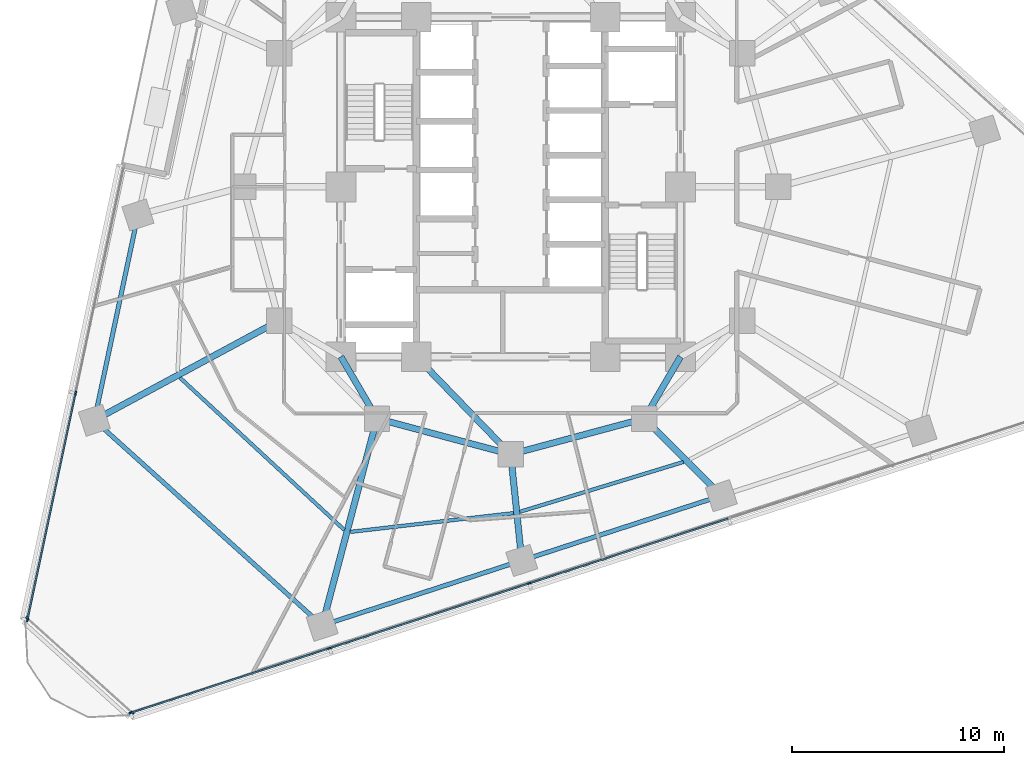
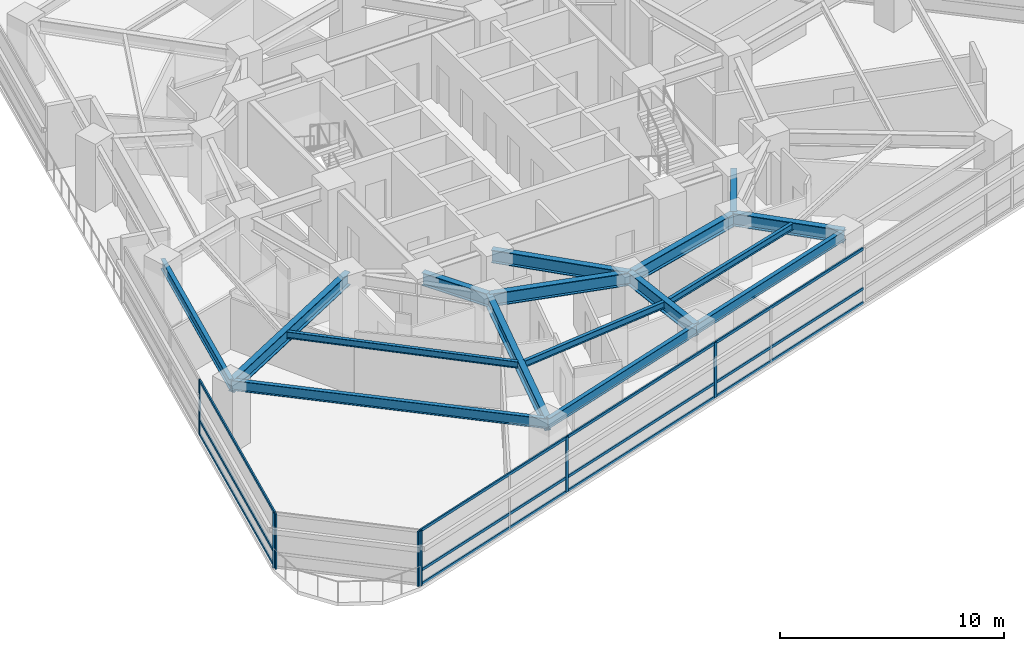
# One storey, part 2 of 14: 19 members, 16 beams, 3 elements without a shape of their own.
"""IFC4 building model written with IfcOpenShell, lengths in metres."""

import ifcopenshell
import ifcopenshell.guid

model = None  # the IFC model being written
_history = None  # IfcOwnerHistory: only IFC2X3 demands one
_inside = {}  # id of a spatial element -> (the spatial element, [elements in it])
_under = {}  # id of a project, library or spatial element -> (it, [spatial elements below it])
_declared = {}  # id of a project -> (the project, [libraries it declares])
_typed = {}  # id of a type object -> (the type object, [elements of that type])
_made_of = {}  # id of a material, layer set ... -> (it, [elements and type objects made of it])


def new_model(schema):
    """Start an empty IFC model of exactly this schema.

    Asked for "IFC4X3", IfcOpenShell would pick the latest addendum, in which some entities
    have other attributes; the version numbers below select the first issue.
    IFC2X3 requires an IfcOwnerHistory on every rooted entity: one is made here for all.
    """
    global model, _history
    if schema == "IFC4X3":
        model = ifcopenshell.file(schema_version=(4, 3, 0, 0))
    else:
        model = ifcopenshell.file(schema=schema)
    _inside.clear()
    _under.clear()
    _declared.clear()
    _typed.clear()
    _made_of.clear()
    _history = None
    if model.schema == "IFC2X3":
        org = make("IfcOrganization", Name="unknown")
        user = make(
            "IfcPersonAndOrganization",
            ThePerson=make("IfcPerson", FamilyName="unknown"),
            TheOrganization=org,
        )
        app = make(
            "IfcApplication",
            ApplicationDeveloper=org,
            Version="unknown",
            ApplicationFullName="unknown",
            ApplicationIdentifier="unknown",
        )
        _history = make(
            "IfcOwnerHistory",
            OwningUser=user,
            OwningApplication=app,
            ChangeAction="ADDED",
            CreationDate=0,
        )
    return model


def make(cls, **values):
    """One entity of the class cls with the attributes given. An attribute that is None is left unset."""
    return model.create_entity(
        cls, **{name: value for name, value in values.items() if value is not None}
    )


def rooted(cls, **values):
    """An entity with a GlobalId (a new one), such as an element, a storey or a relation."""
    return make(cls, GlobalId=ifcopenshell.guid.new(), OwnerHistory=_history, **values)


def si_unit(unit_type, name, prefix=None):
    """IfcSIUnit, for example si_unit("LENGTHUNIT", "METRE", prefix="MILLI")."""
    return make("IfcSIUnit", UnitType=unit_type, Prefix=prefix, Name=name)


def assignment(units):
    """IfcUnitAssignment: the units of a project."""
    return None if units is None else make("IfcUnitAssignment", Units=units)


def point(xyz):
    """IfcCartesianPoint."""
    return None if xyz is None else make("IfcCartesianPoint", Coordinates=xyz)


def direction(xyz):
    """IfcDirection."""
    return None if xyz is None else make("IfcDirection", DirectionRatios=xyz)


def frame(location, z_axis=None, x_axis=None):
    """IfcAxis2Placement3D, a coordinate frame: its origin and axes. An axis left out is left unset."""
    return make(
        "IfcAxis2Placement3D",
        Location=point(location),
        Axis=direction(z_axis),
        RefDirection=direction(x_axis),
    )


def frame_2d(location, x_axis=None):
    """IfcAxis2Placement2D, a coordinate frame in the plane: its origin and x axis."""
    return make(
        "IfcAxis2Placement2D", Location=point(location), RefDirection=direction(x_axis)
    )


def origin():
    """The frame at (0, 0, 0) with its axes left unset."""
    return frame((0.0, 0.0, 0.0))


def origin_2d():
    """The frame at (0, 0) in the plane with its x axis left unset."""
    return frame_2d((0.0, 0.0))


def place(relative_to, where):
    """IfcLocalPlacement: puts the frame where relative to a parent placement (None: the world)."""
    return make(
        "IfcLocalPlacement", PlacementRelTo=relative_to, RelativePlacement=where
    )


def context(
    kind, dimensions, precision=None, world=None, true_north=None, identifier=None
):
    """IfcGeometricRepresentationContext, for example the 3D "Model" context."""
    return make(
        "IfcGeometricRepresentationContext",
        ContextIdentifier=identifier,
        ContextType=kind,
        CoordinateSpaceDimension=dimensions,
        Precision=precision,
        WorldCoordinateSystem=world,
        TrueNorth=true_north,
    )


def subcontext(parent, identifier, kind, view, scale=None):
    """IfcGeometricRepresentationSubContext, for example "Body" below "Model"."""
    return make(
        "IfcGeometricRepresentationSubContext",
        ContextIdentifier=identifier,
        ContextType=kind,
        ParentContext=parent,
        TargetScale=scale,
        TargetView=view,
    )


def project(units=None, contexts=None):
    """IfcProject with its units and contexts."""
    return rooted(
        "IfcProject",
        Name="project",
        RepresentationContexts=contexts,
        UnitsInContext=assignment(units),
    )


def spatial(cls, under=None, at=None, **own):
    """A site, building, storey or space (cls), placed at a placement, below another one or the project."""
    s = rooted(cls, ObjectPlacement=at, **own)
    if under is not None:
        _under.setdefault(under.id(), (under, []))[1].append(s)
    return s


def profile(cls, at=None, kind="AREA", **sizes):
    """A parametric profile (cls). Its sizes go by their IFC names, for example OverallWidth=200.0."""
    return make(cls, ProfileType=kind, Position=at, **sizes)


def rectangle(**sizes):
    """IfcRectangleProfileDef."""
    return profile("IfcRectangleProfileDef", **sizes)


def i_section(**sizes):
    """IfcIShapeProfileDef."""
    return profile("IfcIShapeProfileDef", **sizes)


def extrude(swept, where, along, depth):
    """IfcExtrudedAreaSolid: the profile swept, set in the frame where, extruded along a direction by depth."""
    return make(
        "IfcExtrudedAreaSolid",
        SweptArea=swept,
        Position=where,
        ExtrudedDirection=direction(along),
        Depth=depth,
    )


def shape(context_of_items, identifier, shape_type, items):
    """IfcShapeRepresentation: the items that make up one representation, for example the "Body"."""
    return make(
        "IfcShapeRepresentation",
        ContextOfItems=context_of_items,
        RepresentationIdentifier=identifier,
        RepresentationType=shape_type,
        Items=items,
    )


def material(Name=None, Category=None):
    """IfcMaterial."""
    return make("IfcMaterial", Name=Name, Category=Category)


def layer(
    of_material, thickness, ventilated=None, Name=None, Category=None, Priority=None
):
    """IfcMaterialLayer: one layer of a wall or slab, of a material (None: an air gap)."""
    return make(
        "IfcMaterialLayer",
        Material=of_material,
        LayerThickness=thickness,
        IsVentilated=ventilated,
        Name=Name,
        Category=Category,
        Priority=Priority,
    )


def layer_set(layers, Name=None):
    """IfcMaterialLayerSet."""
    return make("IfcMaterialLayerSet", MaterialLayers=layers, LayerSetName=Name)


def material_profile(
    of_material, cross_section, Name=None, Category=None, Priority=None
):
    """IfcMaterialProfile: a cross section and its material."""
    return make(
        "IfcMaterialProfile",
        Name=Name,
        Material=of_material,
        Profile=cross_section,
        Priority=Priority,
        Category=Category,
    )


def profile_set(profiles, Name=None, composite=None):
    """IfcMaterialProfileSet."""
    return make(
        "IfcMaterialProfileSet",
        Name=Name,
        MaterialProfiles=profiles,
        CompositeProfile=composite,
    )


def made_of(thing, what):
    """Note that an element or type object is made of a material, layer set ...; save() writes the relation."""
    if what is not None:
        _made_of.setdefault(what.id(), (what, []))[1].append(thing)
    return thing


def type_object(cls, material=None, **own):
    """A type object (cls), such as IfcWallType, which elements share."""
    return made_of(rooted(cls, **own), material)


def element(
    cls,
    number,
    at=None,
    inside=None,
    cuts=None,
    type_object=None,
    material=None,
    context=None,
    identifier="Body",
    shape_type=None,
    held_by="IfcProductDefinitionShape",
    body=None,
    shapes=None,
    **own,
):
    """One element of the class cls, such as IfcWall. Its Tag is "e" and its number.

    at: its placement. inside: the storey or other place that contains it. cuts: it is an
    opening in that element (IfcRelVoidsElement). A single representation is given by context,
    identifier, shape_type and body (its items); several are given by shapes. held_by: the class
    of the entity that holds the representations. save() writes the other relations.
    """
    e = rooted(cls, Tag="e%d" % number, ObjectPlacement=at, **own)
    if body is not None:
        shapes = [shape(context, identifier, shape_type, body)]
    if shapes is not None:
        e.Representation = make(held_by, Representations=shapes)
    if inside is not None:
        _inside.setdefault(inside.id(), (inside, []))[1].append(e)
    if cuts is not None:
        rooted(
            "IfcRelVoidsElement", RelatingBuildingElement=cuts, RelatedOpeningElement=e
        )
    if type_object is not None:
        _typed.setdefault(type_object.id(), (type_object, []))[1].append(e)
    return made_of(e, material)


def aggregate(whole, parts):
    """IfcRelAggregates: a whole, such as a stair, and the parts it consists of."""
    return rooted("IfcRelAggregates", RelatingObject=whole, RelatedObjects=parts)


def save(model, path):
    """Write the relations noted so far, then the file.

    IfcRelAggregates (storeys below a building ...), IfcRelContainedInSpatialStructure (elements
    in a storey), IfcRelDefinesByType, IfcRelAssociatesMaterial and IfcRelDeclares: one each for
    every whole, place, type object, material and project.
    """
    for whole, parts in _under.values():
        aggregate(whole, parts)
    for where, things in _inside.values():
        rooted(
            "IfcRelContainedInSpatialStructure",
            RelatedElements=things,
            RelatingStructure=where,
        )
    for kind, things in _typed.values():
        rooted("IfcRelDefinesByType", RelatedObjects=things, RelatingType=kind)
    for what, things in _made_of.values():
        rooted("IfcRelAssociatesMaterial", RelatedObjects=things, RelatingMaterial=what)
    for by, libraries in _declared.values():
        rooted("IfcRelDeclares", RelatingContext=by, RelatedDefinitions=libraries)
    model.write(path)


model = new_model("IFC4")

# Units and contexts
model_context = context("Model", 3, precision=1e-05, world=origin(), true_north=direction((0.0, 1.0)))
body_context = subcontext(model_context, "Body", "Model", "MODEL_VIEW")
ifc_project = project(units=[si_unit("LENGTHUNIT", "METRE"), si_unit("AREAUNIT", "SQUARE_METRE"), si_unit("VOLUMEUNIT", "CUBIC_METRE"), si_unit("PLANEANGLEUNIT", "RADIAN"), si_unit("MASSUNIT", "GRAM", prefix="KILO")], contexts=[model_context])

# Site, building, storey
site_placement = place(None, origin())
site = spatial("IfcSite", under=ifc_project, at=site_placement, CompositionType="ELEMENT")
building_placement = place(site_placement, origin())
building = spatial("IfcBuilding", under=site, at=building_placement, Name="Terralouvre Media Tower", CompositionType="ELEMENT")
storey_placement = place(building_placement, frame((0.0, 0.0, 97.699951171875)))
storey = spatial("IfcBuildingStorey", under=building, at=storey_placement, Name="L24", CompositionType="ELEMENT", Elevation=97.699951171875)

# Beams
ifc_material_1 = material(Name="Structural steel S355J2", Category="steel")
ifc_material_profile_1 = material_profile(ifc_material_1, i_section(OverallWidth=0.169921875, OverallDepth=0.360107421875, WebThickness=0.008056640625, FlangeThickness=0.0126953125, at=origin_2d()), Name="IPE 360")
ifc_profile_set_1 = profile_set([ifc_material_profile_1], Name="Structural steel S355J2")
beam_type_1 = type_object("IfcBeamType", Name="Composite Floor Joist J-IPE360 (IPE 360)", PredefinedType="JOIST", material=ifc_profile_set_1)
beam_1_placement = place(storey_placement, frame((-15.584716796875, -8.988037109375, 3.320068359375), z_axis=(0.733637623699, -0.679540901707, 0.0), x_axis=(0.679540901707, 0.733637623699, 0.0)))
element("IfcBeam", 1, at=beam_1_placement, inside=storey, type_object=beam_type_1, Name="L24 Framing Beam JT-L24-02", PredefinedType="JOIST", context=body_context, shape_type="SweptSolid", body=[
    extrude(i_section(OverallWidth=0.169921875, OverallDepth=0.360107421875, WebThickness=0.008056640625, FlangeThickness=0.0126953125, at=origin_2d()), origin(), (0.0, 0.0, 1.0), 10.551513671875),
])
beam_2_placement = place(storey_placement, frame((-7.5625, -16.254150390625, 3.320068359375), z_axis=(0.993452319542, 0.114247489235, 0.0), x_axis=(-0.114247489235, 0.993452319542, 0.0)))
element("IfcBeam", 2, at=beam_2_placement, inside=storey, type_object=beam_type_1, Name="L24 Framing Beam JT-L24-03", PredefinedType="JOIST", context=body_context, shape_type="SweptSolid", body=[
    extrude(i_section(OverallWidth=0.169921875, OverallDepth=0.360107421875, WebThickness=0.008056640625, FlangeThickness=0.0126953125, at=origin_2d()), origin(), (0.0, 0.0, 1.0), 7.750732421875),
])
beam_3_placement = place(storey_placement, frame((0.430908203125, -15.307373046875, 3.320068359375), z_axis=(0.95657137257, 0.29149821471, 0.0), x_axis=(-0.29149821471, 0.95657137257, 0.0)))
element("IfcBeam", 3, at=beam_3_placement, inside=storey, type_object=beam_type_1, Name="L24 Framing Beam JT-L24-04", PredefinedType="JOIST", context=body_context, shape_type="SweptSolid", body=[
    extrude(i_section(OverallWidth=0.169921875, OverallDepth=0.360107421875, WebThickness=0.008056640625, FlangeThickness=0.0126953125, at=origin_2d()), origin(), (0.0, 0.0, 1.0), 8.052001953125),
])

# Curtain wall, members
ifc_material_2 = material(Name="Low-iron laminated double glazing with solar-control coating", Category="glass")
ifc_layer_1 = layer(ifc_material_2, 0.1650390625, Name="Lower Media Tower Unitised Curtain Wall CW-02")
ifc_layer_set_1 = layer_set([ifc_layer_1], Name="Low-iron laminated double glazing with solar-control coating")
curtain_wall_type_1 = type_object("IfcCurtainWallType", Name="Lower Media Tower Unitised Curtain Wall CW-02", PredefinedType="NOTDEFINED", material=ifc_layer_set_1)
curtain_wall_1_placement = place(storey_placement, origin())
curtain_wall_1 = element("IfcCurtainWall", 4, at=curtain_wall_1_placement, inside=storey, type_object=curtain_wall_type_1, Name="L24 Facade Curtain Wall F0", PredefinedType="NOTDEFINED")
ifc_material_3 = material(Name="Anodised extruded aluminium 6063-T6", Category="aluminium")
ifc_material_profile_2 = material_profile(ifc_material_3, rectangle(XDim=0.074951171875, YDim=0.14990234375, at=origin_2d()), Name="ALU 75x150")
ifc_profile_set_2 = profile_set([ifc_material_profile_2], Name="Anodised extruded aluminium 6063-T6")
member_type_1 = type_object("IfcMemberType", Name="Curtain-Wall Horizontal Transom TR-150", PredefinedType="USERDEFINED", material=ifc_profile_set_2)
member_1_placement = place(storey_placement, frame((-17.866455078125, -24.765380859375, 0.03759765625), z_axis=(0.951048750541, 0.309040893886, 0.0), x_axis=(-0.309040893886, 0.951048750541, 0.0)))
member_1 = element("IfcMember", 5, at=member_1_placement, type_object=member_type_1, Name="CW-02 transom 1.1", ObjectType="TRANSOM", PredefinedType="USERDEFINED", context=body_context, shape_type="SweptSolid", body=[
    extrude(rectangle(XDim=0.074951171875, YDim=0.14990234375, at=origin_2d()), origin(), (0.0, 0.0, 1.0), 9.775390625),
])
member_2_placement = place(storey_placement, frame((-17.866455078125, -24.765380859375, 0.800048828125), z_axis=(0.951048750541, 0.309040893886, 0.0), x_axis=(-0.309040893886, 0.951048750541, 0.0)))
member_2 = element("IfcMember", 6, at=member_2_placement, type_object=member_type_1, Name="CW-02 transom 1.2", ObjectType="TRANSOM", PredefinedType="USERDEFINED", context=body_context, shape_type="SweptSolid", body=[
    extrude(rectangle(XDim=0.074951171875, YDim=0.14990234375, at=origin_2d()), origin(), (0.0, 0.0, 1.0), 9.775390625),
])
member_3_placement = place(storey_placement, frame((-17.866455078125, -24.765380859375, 2.962646484375), z_axis=(0.951048750541, 0.309040893886, 0.0), x_axis=(-0.309040893886, 0.951048750541, 0.0)))
member_3 = element("IfcMember", 7, at=member_3_placement, type_object=member_type_1, Name="CW-02 transom 1.3", ObjectType="TRANSOM", PredefinedType="USERDEFINED", context=body_context, shape_type="SweptSolid", body=[
    extrude(rectangle(XDim=0.074951171875, YDim=0.14990234375, at=origin_2d()), origin(), (0.0, 0.0, 1.0), 9.775390625),
])
member_4_placement = place(storey_placement, frame((-8.498291015625, -21.72119140625, 0.03759765625), z_axis=(0.951061672682, 0.309001124198, 0.0), x_axis=(-0.309001124198, 0.951061672682, 0.0)))
member_4 = element("IfcMember", 8, at=member_4_placement, type_object=member_type_1, Name="CW-02 transom 2.1", ObjectType="TRANSOM", PredefinedType="USERDEFINED", context=body_context, shape_type="SweptSolid", body=[
    extrude(rectangle(XDim=0.074951171875, YDim=0.14990234375, at=origin_2d()), origin(), (0.0, 0.0, 1.0), 9.81298828125),
])
member_5_placement = place(storey_placement, frame((-8.498291015625, -21.72119140625, 0.800048828125), z_axis=(0.951061672682, 0.309001124198, 0.0), x_axis=(-0.309001124198, 0.951061672682, 0.0)))
member_5 = element("IfcMember", 9, at=member_5_placement, type_object=member_type_1, Name="CW-02 transom 2.2", ObjectType="TRANSOM", PredefinedType="USERDEFINED", context=body_context, shape_type="SweptSolid", body=[
    extrude(rectangle(XDim=0.074951171875, YDim=0.14990234375, at=origin_2d()), origin(), (0.0, 0.0, 1.0), 9.81298828125),
])
member_6_placement = place(storey_placement, frame((-8.498291015625, -21.72119140625, 2.962646484375), z_axis=(0.951061672682, 0.309001124198, 0.0), x_axis=(-0.309001124198, 0.951061672682, 0.0)))
member_6 = element("IfcMember", 10, at=member_6_placement, type_object=member_type_1, Name="CW-02 transom 2.3", ObjectType="TRANSOM", PredefinedType="USERDEFINED", context=body_context, shape_type="SweptSolid", body=[
    extrude(rectangle(XDim=0.074951171875, YDim=0.14990234375, at=origin_2d()), origin(), (0.0, 0.0, 1.0), 9.81298828125),
])
member_7_placement = place(storey_placement, frame((0.90576171875, -18.665771484375, 0.03759765625), z_axis=(0.95105436096, 0.309023627736, 0.0), x_axis=(-0.309023627736, 0.95105436096, 0.0)))
member_7 = element("IfcMember", 11, at=member_7_placement, type_object=member_type_1, Name="CW-02 transom 3.1", ObjectType="TRANSOM", PredefinedType="USERDEFINED", context=body_context, shape_type="SweptSolid", body=[
    extrude(rectangle(XDim=0.074951171875, YDim=0.14990234375, at=origin_2d()), origin(), (0.0, 0.0, 1.0), 9.81298828125),
])
member_8_placement = place(storey_placement, frame((0.90576171875, -18.665771484375, 0.800048828125), z_axis=(0.95105436096, 0.309023627736, 0.0), x_axis=(-0.309023627736, 0.95105436096, 0.0)))
member_8 = element("IfcMember", 12, at=member_8_placement, type_object=member_type_1, Name="CW-02 transom 3.2", ObjectType="TRANSOM", PredefinedType="USERDEFINED", context=body_context, shape_type="SweptSolid", body=[
    extrude(rectangle(XDim=0.074951171875, YDim=0.14990234375, at=origin_2d()), origin(), (0.0, 0.0, 1.0), 9.81298828125),
])
member_9_placement = place(storey_placement, frame((0.90576171875, -18.665771484375, 2.962646484375), z_axis=(0.95105436096, 0.309023627736, 0.0), x_axis=(-0.309023627736, 0.95105436096, 0.0)))
member_9 = element("IfcMember", 13, at=member_9_placement, type_object=member_type_1, Name="CW-02 transom 3.3", ObjectType="TRANSOM", PredefinedType="USERDEFINED", context=body_context, shape_type="SweptSolid", body=[
    extrude(rectangle(XDim=0.074951171875, YDim=0.14990234375, at=origin_2d()), origin(), (0.0, 0.0, 1.0), 9.81298828125),
])

curtain_wall_2_placement = place(storey_placement, origin())
curtain_wall_2 = element("IfcCurtainWall", 14, at=curtain_wall_2_placement, inside=storey, type_object=curtain_wall_type_1, Name="L24 Right Flank Curtain Wall F2", PredefinedType="NOTDEFINED")
member_10_placement = place(storey_placement, frame((-20.5068359375, -9.746826171875, 0.03759765625), z_axis=(-0.207891864273, -0.978151814786, 0.0), x_axis=(0.978151814786, -0.207891864273, 0.0)))
member_10 = element("IfcMember", 15, at=member_10_placement, type_object=member_type_1, Name="CW-02 transom 2.1", ObjectType="TRANSOM", PredefinedType="USERDEFINED", context=body_context, shape_type="SweptSolid", body=[
    extrude(rectangle(XDim=0.074951171875, YDim=0.14990234375, at=origin_2d()), origin(), (0.0, 0.0, 1.0), 10.84765625),
])
member_11_placement = place(storey_placement, frame((-20.5068359375, -9.746826171875, 0.800048828125), z_axis=(-0.207891864273, -0.978151814786, 0.0), x_axis=(0.978151814786, -0.207891864273, 0.0)))
member_11 = element("IfcMember", 16, at=member_11_placement, type_object=member_type_1, Name="CW-02 transom 2.2", ObjectType="TRANSOM", PredefinedType="USERDEFINED", context=body_context, shape_type="SweptSolid", body=[
    extrude(rectangle(XDim=0.074951171875, YDim=0.14990234375, at=origin_2d()), origin(), (0.0, 0.0, 1.0), 10.84765625),
])
member_12_placement = place(storey_placement, frame((-20.5068359375, -9.746826171875, 2.962646484375), z_axis=(-0.207891864273, -0.978151814786, 0.0), x_axis=(0.978151814786, -0.207891864273, 0.0)))
member_12 = element("IfcMember", 17, at=member_12_placement, type_object=member_type_1, Name="CW-02 transom 2.3", ObjectType="TRANSOM", PredefinedType="USERDEFINED", context=body_context, shape_type="SweptSolid", body=[
    extrude(rectangle(XDim=0.074951171875, YDim=0.14990234375, at=origin_2d()), origin(), (0.0, 0.0, 1.0), 10.84765625),
])

# Member
ifc_material_4 = material(Name="Anodised extruded aluminium 6063-T6", Category="aluminium")
ifc_material_profile_3 = material_profile(ifc_material_4, rectangle(XDim=0.074951171875, YDim=0.179931640625, at=origin_2d()), Name="ALU 75x180")
ifc_profile_set_3 = profile_set([ifc_material_profile_3], Name="Anodised extruded aluminium 6063-T6")
member_type_2 = type_object("IfcMemberType", Name="Curtain-Wall Vertical Mullion ML-180", PredefinedType="MULLION", material=ifc_profile_set_3)
member_13_placement = place(storey_placement, frame((-17.90234375, -24.77685546875, 0.0), z_axis=(0.0, 0.0, 1.0), x_axis=(-0.309017015439, 0.951056509451, 0.0)))
member_13 = element("IfcMember", 18, at=member_13_placement, type_object=member_type_2, Name="CW-02 mullion 1", PredefinedType="MULLION", context=body_context, shape_type="SweptSolid", body=[
    extrude(rectangle(XDim=0.074951171875, YDim=0.179931640625, at=origin_2d()), origin(), (0.0, 0.0, 1.0), 3.0),
])

member_14_placement = place(storey_placement, frame((-8.533935546875, -21.73291015625, 0.0), z_axis=(0.0, 0.0, 1.0), x_axis=(-0.309017015439, 0.951056509451, 0.0)))
member_14 = element("IfcMember", 19, at=member_14_placement, type_object=member_type_2, Name="CW-02 mullion 2", PredefinedType="MULLION", context=body_context, shape_type="SweptSolid", body=[
    extrude(rectangle(XDim=0.074951171875, YDim=0.179931640625, at=origin_2d()), origin(), (0.0, 0.0, 1.0), 3.0),
])

member_15_placement = place(storey_placement, frame((0.8701171875, -18.67724609375, 0.0), z_axis=(0.0, 0.0, 1.0), x_axis=(-0.309017015439, 0.951056509451, 0.0)))
member_15 = element("IfcMember", 20, at=member_15_placement, type_object=member_type_2, Name="CW-02 mullion 3", PredefinedType="MULLION", context=body_context, shape_type="SweptSolid", body=[
    extrude(rectangle(XDim=0.074951171875, YDim=0.179931640625, at=origin_2d()), origin(), (0.0, 0.0, 1.0), 3.0),
])

aggregate(curtain_wall_1, [member_13, member_14, member_15, member_1, member_2, member_3, member_4, member_5, member_6, member_7, member_8, member_9])

member_16_placement = place(storey_placement, frame((-20.4990234375, -9.710205078125, 0.0), z_axis=(0.0, 0.0, 1.0), x_axis=(0.978147702676, -0.207911211217, 0.0)))
member_16 = element("IfcMember", 21, at=member_16_placement, type_object=member_type_2, Name="CW-02 mullion 2", PredefinedType="MULLION", context=body_context, shape_type="SweptSolid", body=[
    extrude(rectangle(XDim=0.074951171875, YDim=0.179931640625, at=origin_2d()), origin(), (0.0, 0.0, 1.0), 3.0),
])

member_17_placement = place(storey_placement, frame((-22.769775390625, -20.39404296875, 0.0), z_axis=(0.0, 0.0, 1.0), x_axis=(0.978147702676, -0.207911211217, 0.0)))
member_17 = element("IfcMember", 22, at=member_17_placement, type_object=member_type_2, Name="CW-02 mullion 3", PredefinedType="MULLION", context=body_context, shape_type="SweptSolid", body=[
    extrude(rectangle(XDim=0.074951171875, YDim=0.179931640625, at=origin_2d()), origin(), (0.0, 0.0, 1.0), 3.0),
])

aggregate(curtain_wall_2, [member_16, member_17, member_10, member_11, member_12])

# Curtain wall, members
ifc_material_5 = material(Name="Low-iron laminated double glazing with solar-control coating", Category="glass")
ifc_layer_2 = layer(ifc_material_5, 0.1650390625, Name="Rounded Wind-Corner Curved Glazing CW-04")
ifc_layer_set_2 = layer_set([ifc_layer_2], Name="Low-iron laminated double glazing with solar-control coating")
curtain_wall_type_2 = type_object("IfcCurtainWallType", Name="Rounded Wind-Corner Curved Glazing CW-04", PredefinedType="NOTDEFINED", material=ifc_layer_set_2)
curtain_wall_3_placement = place(storey_placement, origin())
curtain_wall_3 = element("IfcCurtainWall", 23, at=curtain_wall_3_placement, inside=storey, type_object=curtain_wall_type_2, Name="L24 Rounded Wind-Corner Curtain Wall C0", PredefinedType="NOTDEFINED")
member_18_placement = place(storey_placement, frame((-22.7734375, -20.326904296875, 0.0), z_axis=(0.0, 0.0, 1.0), x_axis=(0.669130780732, 0.743144668471, 0.0)))
member_18 = element("IfcMember", 24, at=member_18_placement, type_object=member_type_2, Name="CW-04 mullion 1", PredefinedType="MULLION", context=body_context, shape_type="SweptSolid", body=[
    extrude(rectangle(XDim=0.074951171875, YDim=0.179931640625, at=origin_2d()), origin(), (0.0, 0.0, 1.0), 3.0),
])
member_19_placement = place(storey_placement, frame((-17.8349609375, -24.7734375, 0.0), z_axis=(0.0, 0.0, 1.0), x_axis=(0.669130780732, 0.743144668471, 0.0)))
member_19 = element("IfcMember", 25, at=member_19_placement, type_object=member_type_2, Name="CW-04 mullion 2", PredefinedType="MULLION", context=body_context, shape_type="SweptSolid", body=[
    extrude(rectangle(XDim=0.074951171875, YDim=0.179931640625, at=origin_2d()), origin(), (0.0, 0.0, 1.0), 3.0),
])
aggregate(curtain_wall_3, [member_18, member_19])

# Beams
ifc_material_6 = material(Name="Structural steel S355J2", Category="steel")
ifc_material_profile_4 = material_profile(ifc_material_6, i_section(OverallWidth=0.2099609375, OverallDepth=0.550048828125, WebThickness=0.010986328125, FlangeThickness=0.01708984375, at=origin_2d()), Name="IPE 550")
ifc_profile_set_4 = profile_set([ifc_material_profile_4], Name="Structural steel S355J2")
beam_type_2 = type_object("IfcBeamType", Name="Perimeter Spandrel Beam SPB-550 (IPE 550)", PredefinedType="SPANDREL", material=ifc_profile_set_4)
beam_4_placement = place(storey_placement, frame((-17.560791015625, -1.32177734375, 3.22509765625), z_axis=(-0.207896554112, -0.978150818017, 0.0), x_axis=(0.978150818017, -0.207896554112, 0.0)))
element("IfcBeam", 26, at=beam_4_placement, inside=storey, type_object=beam_type_2, Name="L24 Framing Beam BM-L24-PR01", PredefinedType="SPANDREL", context=body_context, shape_type="SweptSolid", body=[
    extrude(i_section(OverallWidth=0.2099609375, OverallDepth=0.550048828125, WebThickness=0.010986328125, FlangeThickness=0.01708984375, at=origin_2d()), origin(), (0.0, 0.0, 1.0), 9.887939453125),
])
beam_5_placement = place(storey_placement, frame((-19.616455078125, -10.99365234375, 3.22509765625), z_axis=(0.743139474617, -0.669136549044, 0.0), x_axis=(0.669136549044, 0.743139474617, 0.0)))
element("IfcBeam", 27, at=beam_5_placement, inside=storey, type_object=beam_type_2, Name="L24 Framing Beam BM-L24-PR02", PredefinedType="SPANDREL", context=body_context, shape_type="SweptSolid", body=[
    extrude(i_section(OverallWidth=0.2099609375, OverallDepth=0.550048828125, WebThickness=0.010986328125, FlangeThickness=0.01708984375, at=origin_2d()), origin(), (0.0, 0.0, 1.0), 14.443359375),
])
for number, where, z_axis, x_axis, name in (
    (28, (-8.883056640625, -20.658203125, 3.22509765625), (0.95105348149, 0.309026334389, 0.0), (-0.309026334389, 0.95105348149, 0.0), "L24 Framing Beam BM-L24-PR03"),
    (29, (0.52099609375, -17.6025390625, 3.22509765625), (0.951060737836, 0.309004001506, 0.0), (-0.309004001506, 0.951060737836, 0.0), "L24 Framing Beam BM-L24-PR04"),
):
    element("IfcBeam", number, at=place(storey_placement, frame(where, z_axis=z_axis, x_axis=x_axis)), inside=storey, type_object=beam_type_2, Name=name, PredefinedType="SPANDREL", context=body_context, shape_type="SweptSolid", body=[
        extrude(i_section(OverallWidth=0.2099609375, OverallDepth=0.550048828125, WebThickness=0.010986328125, FlangeThickness=0.01708984375, at=origin_2d()), origin(), (0.0, 0.0, 1.0), 9.887939453125),
    ])
ifc_material_7 = material(Name="Structural steel S460M", Category="steel")
ifc_material_profile_5 = material_profile(ifc_material_7, i_section(OverallWidth=0.300048828125, OverallDepth=0.699951171875, WebThickness=0.01708984375, FlangeThickness=0.031982421875, at=origin_2d()), Name="HEB 700")
ifc_profile_set_5 = profile_set([ifc_material_profile_5], Name="Structural steel S460M")
beam_type_3 = type_object("IfcBeamType", Name="Primary Floor Girder B-HEB700 (HEB 700)", PredefinedType="BEAM", material=ifc_profile_set_5)
for number, where, z_axis, x_axis, name in (
    (30, (-6.300048828125, -10.911865234375, 3.150146484375), (0.965920481897, -0.258838989821, 0.0), (0.258838989821, 0.965920481897, 0.0), "L24 Framing Beam BM-L24-MR02"),
    (31, (0.0, -12.60009765625, 3.150146484375), (0.965920481897, 0.258838989821, 0.0), (-0.258838989821, 0.965920481897, 0.0), "L24 Framing Beam BM-L24-MR03"),
):
    element("IfcBeam", number, at=place(storey_placement, frame(where, z_axis=z_axis, x_axis=x_axis)), inside=storey, type_object=beam_type_3, Name=name, PredefinedType="BEAM", context=body_context, shape_type="SweptSolid", body=[
        extrude(i_section(OverallWidth=0.300048828125, OverallDepth=0.699951171875, WebThickness=0.01708984375, FlangeThickness=0.031982421875, at=origin_2d()), origin(), (0.0, 0.0, 1.0), 6.522216796875),
    ])
beam_6_placement = place(storey_placement, frame((-8.0, -8.0, 3.150146484375), z_axis=(0.504172629717, -0.863602894532, 0.0), x_axis=(0.863602894532, 0.504172629717, 0.0)))
element("IfcBeam", 32, at=beam_6_placement, inside=storey, type_object=beam_type_3, Name="L24 Framing Beam BM-L24-CM02", PredefinedType="BEAM", context=body_context, shape_type="SweptSolid", body=[
    extrude(i_section(OverallWidth=0.300048828125, OverallDepth=0.699951171875, WebThickness=0.01708984375, FlangeThickness=0.031982421875, at=origin_2d()), origin(), (0.0, 0.0, 1.0), 3.371826171875),
])
beam_7_placement = place(storey_placement, frame((-4.449951171875, -8.0, 3.150146484375), z_axis=(0.695279715726, -0.718739255155, 0.0), x_axis=(0.718739255155, 0.695279715726, 0.0)))
element("IfcBeam", 33, at=beam_7_placement, inside=storey, type_object=beam_type_3, Name="L24 Framing Beam BM-L24-CM03", PredefinedType="BEAM", context=body_context, shape_type="SweptSolid", body=[
    extrude(i_section(OverallWidth=0.300048828125, OverallDepth=0.699951171875, WebThickness=0.01708984375, FlangeThickness=0.031982421875, at=origin_2d()), origin(), (0.0, 0.0, 1.0), 6.400146484375),
])
beam_8_placement = place(storey_placement, frame((8.0, -8.0, 3.150146484375), z_axis=(-0.504172629717, -0.863602894532, 0.0), x_axis=(0.863602894532, -0.504172629717, 0.0)))
element("IfcBeam", 34, at=beam_8_placement, inside=storey, type_object=beam_type_3, Name="L24 Framing Beam BM-L24-CM04", PredefinedType="BEAM", context=body_context, shape_type="SweptSolid", body=[
    extrude(i_section(OverallWidth=0.300048828125, OverallDepth=0.699951171875, WebThickness=0.01708984375, FlangeThickness=0.031982421875, at=origin_2d()), origin(), (0.0, 0.0, 1.0), 3.371826171875),
])
beam_9_placement = place(storey_placement, frame((-10.911865234375, -6.300048828125, 3.150146484375), z_axis=(-0.880195882447, -0.47461058619, 0.0), x_axis=(0.47461058619, -0.880195882447, 0.0)))
element("IfcBeam", 35, at=beam_9_placement, inside=storey, type_object=beam_type_3, Name="L24 Framing Beam BM-L24-RD02", PredefinedType="BEAM", context=body_context, shape_type="SweptSolid", body=[
    extrude(i_section(OverallWidth=0.300048828125, OverallDepth=0.699951171875, WebThickness=0.01708984375, FlangeThickness=0.031982421875, at=origin_2d()), origin(), (0.0, 0.0, 1.0), 9.889404296875),
])
beam_10_placement = place(storey_placement, frame((-6.300048828125, -10.911865234375, 3.150146484375), z_axis=(-0.25617939255, -0.966629256144, 0.0), x_axis=(0.966629256144, -0.25617939255, 0.0)))
element("IfcBeam", 36, at=beam_10_placement, inside=storey, type_object=beam_type_3, Name="L24 Framing Beam BM-L24-RD03", PredefinedType="BEAM", context=body_context, shape_type="SweptSolid", body=[
    extrude(i_section(OverallWidth=0.300048828125, OverallDepth=0.699951171875, WebThickness=0.01708984375, FlangeThickness=0.031982421875, at=origin_2d()), origin(), (0.0, 0.0, 1.0), 10.082763671875),
])
beam_11_placement = place(storey_placement, frame((0.0, -12.60009765625, 3.150146484375), z_axis=(0.103588076486, -0.994620284536, 0.0), x_axis=(0.994620284536, 0.103588076486, 0.0)))
element("IfcBeam", 37, at=beam_11_placement, inside=storey, type_object=beam_type_3, Name="L24 Framing Beam BM-L24-RD04", PredefinedType="BEAM", context=body_context, shape_type="SweptSolid", body=[
    extrude(i_section(OverallWidth=0.300048828125, OverallDepth=0.699951171875, WebThickness=0.01708984375, FlangeThickness=0.031982421875, at=origin_2d()), origin(), (0.0, 0.0, 1.0), 5.029541015625),
])
beam_12_placement = place(storey_placement, frame((6.300048828125, -10.911865234375, 3.150146484375), z_axis=(0.706107405732, -0.708104746185, 0.0), x_axis=(0.708104746185, 0.706107405732, 0.0)))
element("IfcBeam", 38, at=beam_12_placement, inside=storey, type_object=beam_type_3, Name="L24 Framing Beam BM-L24-RD05", PredefinedType="BEAM", context=body_context, shape_type="SweptSolid", body=[
    extrude(i_section(OverallWidth=0.300048828125, OverallDepth=0.699951171875, WebThickness=0.01708984375, FlangeThickness=0.031982421875, at=origin_2d()), origin(), (0.0, 0.0, 1.0), 5.1337890625),
])

save(model, "model.ifc")
